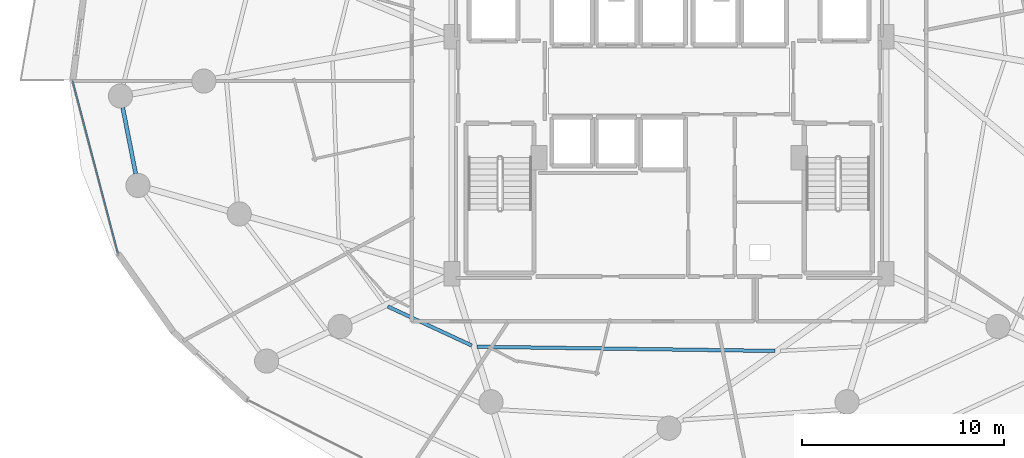
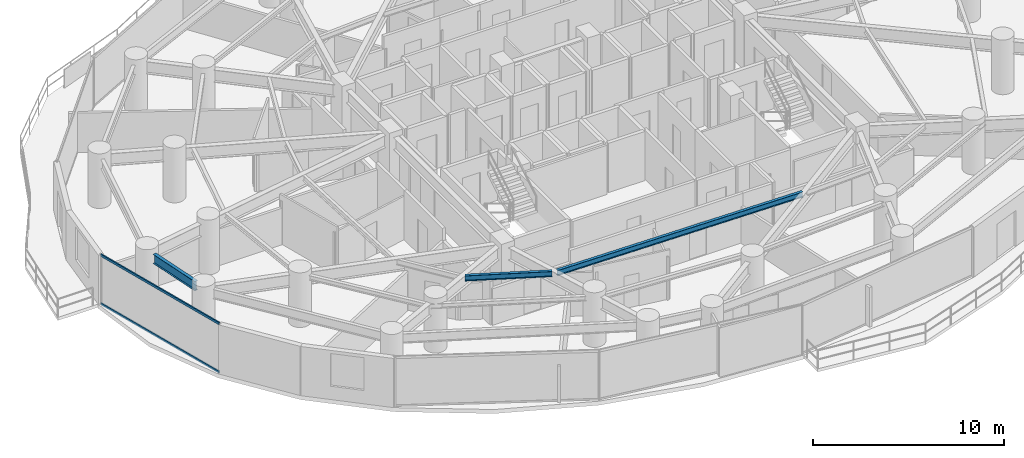
# One storey, part 7 of 34: 3 beams, 2 members, 1 element without a shape of its own.
"""IFC4 building model written with IfcOpenShell, lengths in metres."""

from ifc_helpers import new_model, si_unit, direction, frame, origin, origin_2d, place, context, subcontext, project, spatial, hollow_rectangle, i_section, extrude, material, material_profile, profile_set, type_object, element, aggregate, save


model = new_model("IFC4")

# Units and contexts
model_context = context("Model", 3, precision=1e-05, world=origin(), true_north=direction((0.0, 1.0)))
body_context = subcontext(model_context, "Body", "Model", "MODEL_VIEW")
ifc_project = project(units=[si_unit("LENGTHUNIT", "METRE"), si_unit("AREAUNIT", "SQUARE_METRE"), si_unit("VOLUMEUNIT", "CUBIC_METRE"), si_unit("PLANEANGLEUNIT", "RADIAN"), si_unit("MASSUNIT", "GRAM", prefix="KILO")], contexts=[model_context])

# Site, building, storey
site_placement = place(None, origin())
site = spatial("IfcSite", under=ifc_project, at=site_placement, CompositionType="ELEMENT")
building_placement = place(site_placement, origin())
building = spatial("IfcBuilding", under=site, at=building_placement, Name="Vorneva Point Tower", CompositionType="ELEMENT")
storey_placement = place(building_placement, frame((0.0, 0.0, 66.0)))
storey = spatial("IfcBuildingStorey", under=building, at=storey_placement, Name="L17", CompositionType="ELEMENT", Elevation=66.0)

# Beams
ifc_material_1 = material(Name="Steel S355", Category="steel")
ifc_material_profile_1 = material_profile(ifc_material_1, i_section(OverallWidth=0.174072265625, OverallDepth=0.345947265625, WebThickness=0.006103515625, FlangeThickness=0.009033203125, at=origin_2d()), Name="35B1")
ifc_profile_set_1 = profile_set([ifc_material_profile_1], Name="Steel S355")
beam_type_1 = type_object("IfcBeamType", Name="BM-SEC-35B1", PredefinedType="BEAM", material=ifc_profile_set_1)
beam_1_placement = place(storey_placement, frame((24.06201171875, 14.83203125, 2.97705078125), z_axis=(0.906780239471, -0.421603602101, 0.0), x_axis=(0.421603602101, 0.906780239471, 0.0)))
element("IfcBeam", 1, at=beam_1_placement, inside=storey, type_object=beam_type_1, Name="L17 Secondary Floor Beam 2.11", PredefinedType="BEAM", context=body_context, shape_type="SweptSolid", body=[
    extrude(i_section(OverallWidth=0.174072265625, OverallDepth=0.345947265625, WebThickness=0.006103515625, FlangeThickness=0.009033203125, at=origin_2d()), origin(), (0.0, 0.0, 1.0), 4.589111328125),
])
beam_2_placement = place(storey_placement, frame((28.486572265625, 12.8369140625, 2.97705078125), z_axis=(0.999900621226, -0.014097789626, 0.0), x_axis=(0.014097789626, 0.999900621226, 0.0)))
element("IfcBeam", 2, at=beam_2_placement, inside=storey, type_object=beam_type_1, Name="L17 Secondary Floor Beam 2.12", PredefinedType="BEAM", context=body_context, shape_type="SweptSolid", body=[
    extrude(i_section(OverallWidth=0.174072265625, OverallDepth=0.345947265625, WebThickness=0.006103515625, FlangeThickness=0.009033203125, at=origin_2d()), origin(), (0.0, 0.0, 1.0), 14.754638671875),
])
ifc_material_profile_2 = material_profile(ifc_material_1, i_section(OverallWidth=0.198974609375, OverallDepth=0.595947265625, WebThickness=0.010009765625, FlangeThickness=0.014892578125, at=origin_2d()), Name="60B1")
ifc_profile_set_2 = profile_set([ifc_material_profile_2], Name="Steel S355")
beam_type_2 = type_object("IfcBeamType", Name="BM-SPN-60B1", PredefinedType="SPANDREL", material=ifc_profile_set_2)
beam_3_placement = place(storey_placement, frame((10.9306640625, 24.68701171875, 2.85205078125), z_axis=(0.192691361054, -0.981259414923, 0.0), x_axis=(0.981259414923, 0.192691361054, 0.0)))
element("IfcBeam", 3, at=beam_3_placement, inside=storey, type_object=beam_type_2, Name="L17 Perimeter Spandrel Ring Beam 09", PredefinedType="SPANDREL", context=body_context, shape_type="SweptSolid", body=[
    extrude(i_section(OverallWidth=0.198974609375, OverallDepth=0.595947265625, WebThickness=0.010009765625, FlangeThickness=0.014892578125, at=origin_2d()), origin(), (0.0, 0.0, 1.0), 3.34619140625),
])

# Curtain wall, members
ifc_material_2 = material(Name="Pale anodised aluminium", Category="aluminium")
curtain_wall_type = type_object("IfcCurtainWallType", Name="CW-HTL-SYS", PredefinedType="NOTDEFINED", material=ifc_material_2)
curtain_wall_placement = place(storey_placement, origin())
curtain_wall = element("IfcCurtainWall", 4, at=curtain_wall_placement, inside=storey, type_object=curtain_wall_type, Name="L17 Unitised Curtain Wall CW-L17-R03", PredefinedType="NOTDEFINED")
ifc_material_profile_3 = material_profile(ifc_material_2, hollow_rectangle(XDim=0.074951171875, YDim=0.14990234375, WallThickness=0.00390625, at=origin_2d()), Name="AL-TRN 150x75x4")
ifc_profile_set_3 = profile_set([ifc_material_profile_3], Name="Pale anodised aluminium")
member_type = type_object("IfcMemberType", Name="CW-TRN-150", PredefinedType="USERDEFINED", material=ifc_profile_set_3)
member_1_placement = place(storey_placement, frame((8.449951171875, 26.0, 0.02001953125), z_axis=(0.254358772746, -0.967109928978, 0.0), x_axis=(0.967109928978, 0.254358772746, 0.0)))
member_1 = element("IfcMember", 5, at=member_1_placement, type_object=member_type, Name="CW-L17-R03 Transom 01.1", ObjectType="TRANSOM", PredefinedType="USERDEFINED", context=body_context, shape_type="SweptSolid", body=[
    extrude(hollow_rectangle(XDim=0.074951171875, YDim=0.14990234375, WallThickness=0.00390625, at=origin_2d()), origin(), (0.0, 0.0, 1.0), 8.84375),
])
member_2_placement = place(storey_placement, frame((8.449951171875, 26.0, 3.1298828125), z_axis=(0.254358772746, -0.967109928978, 0.0), x_axis=(0.967109928978, 0.254358772746, 0.0)))
member_2 = element("IfcMember", 6, at=member_2_placement, type_object=member_type, Name="CW-L17-R03 Transom 01.2", ObjectType="TRANSOM", PredefinedType="USERDEFINED", context=body_context, shape_type="SweptSolid", body=[
    extrude(hollow_rectangle(XDim=0.074951171875, YDim=0.14990234375, WallThickness=0.00390625, at=origin_2d()), origin(), (0.0, 0.0, 1.0), 8.84375),
])
aggregate(curtain_wall, [member_1, member_2])

save(model, "model.ifc")
